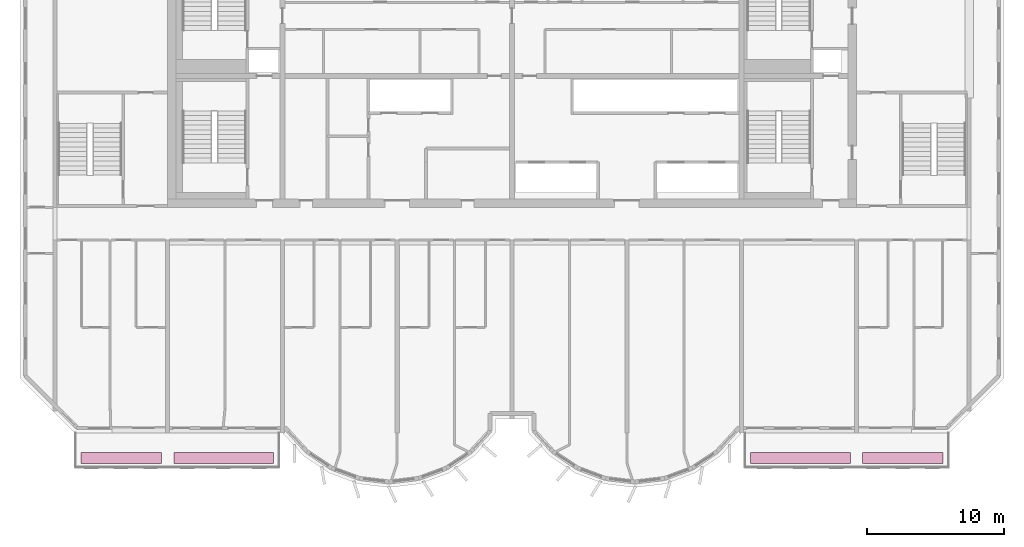
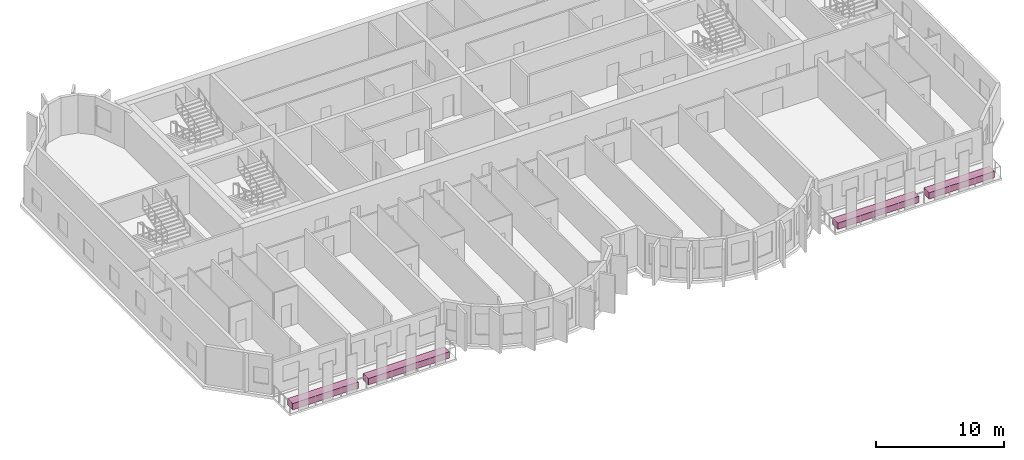
# One storey, part 12 of 12: 4 furniture elements.
"""IFC4 building model written with IfcOpenShell, lengths in metres."""

import ifcopenshell
import ifcopenshell.guid

model = None  # the IFC model being written
_history = None  # IfcOwnerHistory: only IFC2X3 demands one
_inside = {}  # id of a spatial element -> (the spatial element, [elements in it])
_under = {}  # id of a project, library or spatial element -> (it, [spatial elements below it])
_declared = {}  # id of a project -> (the project, [libraries it declares])
_typed = {}  # id of a type object -> (the type object, [elements of that type])
_made_of = {}  # id of a material, layer set ... -> (it, [elements and type objects made of it])


def new_model(schema):
    """Start an empty IFC model of exactly this schema.

    Asked for "IFC4X3", IfcOpenShell would pick the latest addendum, in which some entities
    have other attributes; the version numbers below select the first issue.
    IFC2X3 requires an IfcOwnerHistory on every rooted entity: one is made here for all.
    """
    global model, _history
    if schema == "IFC4X3":
        model = ifcopenshell.file(schema_version=(4, 3, 0, 0))
    else:
        model = ifcopenshell.file(schema=schema)
    _inside.clear()
    _under.clear()
    _declared.clear()
    _typed.clear()
    _made_of.clear()
    _history = None
    if model.schema == "IFC2X3":
        org = make("IfcOrganization", Name="unknown")
        user = make(
            "IfcPersonAndOrganization",
            ThePerson=make("IfcPerson", FamilyName="unknown"),
            TheOrganization=org,
        )
        app = make(
            "IfcApplication",
            ApplicationDeveloper=org,
            Version="unknown",
            ApplicationFullName="unknown",
            ApplicationIdentifier="unknown",
        )
        _history = make(
            "IfcOwnerHistory",
            OwningUser=user,
            OwningApplication=app,
            ChangeAction="ADDED",
            CreationDate=0,
        )
    return model


def make(cls, **values):
    """One entity of the class cls with the attributes given. An attribute that is None is left unset."""
    return model.create_entity(
        cls, **{name: value for name, value in values.items() if value is not None}
    )


def rooted(cls, **values):
    """An entity with a GlobalId (a new one), such as an element, a storey or a relation."""
    return make(cls, GlobalId=ifcopenshell.guid.new(), OwnerHistory=_history, **values)


def si_unit(unit_type, name, prefix=None):
    """IfcSIUnit, for example si_unit("LENGTHUNIT", "METRE", prefix="MILLI")."""
    return make("IfcSIUnit", UnitType=unit_type, Prefix=prefix, Name=name)


def assignment(units):
    """IfcUnitAssignment: the units of a project."""
    return None if units is None else make("IfcUnitAssignment", Units=units)


def point(xyz):
    """IfcCartesianPoint."""
    return None if xyz is None else make("IfcCartesianPoint", Coordinates=xyz)


def direction(xyz):
    """IfcDirection."""
    return None if xyz is None else make("IfcDirection", DirectionRatios=xyz)


def frame(location, z_axis=None, x_axis=None):
    """IfcAxis2Placement3D, a coordinate frame: its origin and axes. An axis left out is left unset."""
    return make(
        "IfcAxis2Placement3D",
        Location=point(location),
        Axis=direction(z_axis),
        RefDirection=direction(x_axis),
    )


def frame_2d(location, x_axis=None):
    """IfcAxis2Placement2D, a coordinate frame in the plane: its origin and x axis."""
    return make(
        "IfcAxis2Placement2D", Location=point(location), RefDirection=direction(x_axis)
    )


def origin():
    """The frame at (0, 0, 0) with its axes left unset."""
    return frame((0.0, 0.0, 0.0))


def origin_2d():
    """The frame at (0, 0) in the plane with its x axis left unset."""
    return frame_2d((0.0, 0.0))


def place(relative_to, where):
    """IfcLocalPlacement: puts the frame where relative to a parent placement (None: the world)."""
    return make(
        "IfcLocalPlacement", PlacementRelTo=relative_to, RelativePlacement=where
    )


def context(
    kind, dimensions, precision=None, world=None, true_north=None, identifier=None
):
    """IfcGeometricRepresentationContext, for example the 3D "Model" context."""
    return make(
        "IfcGeometricRepresentationContext",
        ContextIdentifier=identifier,
        ContextType=kind,
        CoordinateSpaceDimension=dimensions,
        Precision=precision,
        WorldCoordinateSystem=world,
        TrueNorth=true_north,
    )


def subcontext(parent, identifier, kind, view, scale=None):
    """IfcGeometricRepresentationSubContext, for example "Body" below "Model"."""
    return make(
        "IfcGeometricRepresentationSubContext",
        ContextIdentifier=identifier,
        ContextType=kind,
        ParentContext=parent,
        TargetScale=scale,
        TargetView=view,
    )


def project(units=None, contexts=None):
    """IfcProject with its units and contexts."""
    return rooted(
        "IfcProject",
        Name="project",
        RepresentationContexts=contexts,
        UnitsInContext=assignment(units),
    )


def spatial(cls, under=None, at=None, **own):
    """A site, building, storey or space (cls), placed at a placement, below another one or the project."""
    s = rooted(cls, ObjectPlacement=at, **own)
    if under is not None:
        _under.setdefault(under.id(), (under, []))[1].append(s)
    return s


def profile(cls, at=None, kind="AREA", **sizes):
    """A parametric profile (cls). Its sizes go by their IFC names, for example OverallWidth=200.0."""
    return make(cls, ProfileType=kind, Position=at, **sizes)


def rectangle(**sizes):
    """IfcRectangleProfileDef."""
    return profile("IfcRectangleProfileDef", **sizes)


def extrude(swept, where, along, depth):
    """IfcExtrudedAreaSolid: the profile swept, set in the frame where, extruded along a direction by depth."""
    return make(
        "IfcExtrudedAreaSolid",
        SweptArea=swept,
        Position=where,
        ExtrudedDirection=direction(along),
        Depth=depth,
    )


def shape(context_of_items, identifier, shape_type, items):
    """IfcShapeRepresentation: the items that make up one representation, for example the "Body"."""
    return make(
        "IfcShapeRepresentation",
        ContextOfItems=context_of_items,
        RepresentationIdentifier=identifier,
        RepresentationType=shape_type,
        Items=items,
    )


def source(mapping_origin, context_of_items, identifier, shape_type, items):
    """IfcRepresentationMap: a shape defined once, which mapped items show again and again."""
    return make(
        "IfcRepresentationMap",
        MappingOrigin=mapping_origin,
        MappedRepresentation=shape(context_of_items, identifier, shape_type, items),
    )


def transform(
    local_origin,
    x_axis=None,
    y_axis=None,
    z_axis=None,
    scale=None,
    scale2=None,
    scale3=None,
    uniform=True,
):
    """IfcCartesianTransformationOperator3D, or its non-uniform kind. x_axis, y_axis, z_axis: its Axis1, 2, 3."""
    if uniform:
        return make(
            "IfcCartesianTransformationOperator3D",
            Axis1=direction(x_axis),
            Axis2=direction(y_axis),
            LocalOrigin=point(local_origin),
            Scale=scale,
            Axis3=direction(z_axis),
        )
    return make(
        "IfcCartesianTransformationOperator3DnonUniform",
        Axis1=direction(x_axis),
        Axis2=direction(y_axis),
        LocalOrigin=point(local_origin),
        Scale=scale,
        Axis3=direction(z_axis),
        Scale2=scale2,
        Scale3=scale3,
    )


def mapped(mapping_source, mapping_target):
    """IfcMappedItem: shows the shape of a source again, moved by a transform."""
    return make(
        "IfcMappedItem", MappingSource=mapping_source, MappingTarget=mapping_target
    )


def material(Name=None, Category=None):
    """IfcMaterial."""
    return make("IfcMaterial", Name=Name, Category=Category)


def made_of(thing, what):
    """Note that an element or type object is made of a material, layer set ...; save() writes the relation."""
    if what is not None:
        _made_of.setdefault(what.id(), (what, []))[1].append(thing)
    return thing


def type_object(cls, material=None, **own):
    """A type object (cls), such as IfcWallType, which elements share."""
    return made_of(rooted(cls, **own), material)


def element(
    cls,
    number,
    at=None,
    inside=None,
    cuts=None,
    type_object=None,
    material=None,
    context=None,
    identifier="Body",
    shape_type=None,
    held_by="IfcProductDefinitionShape",
    body=None,
    shapes=None,
    **own,
):
    """One element of the class cls, such as IfcWall. Its Tag is "e" and its number.

    at: its placement. inside: the storey or other place that contains it. cuts: it is an
    opening in that element (IfcRelVoidsElement). A single representation is given by context,
    identifier, shape_type and body (its items); several are given by shapes. held_by: the class
    of the entity that holds the representations. save() writes the other relations.
    """
    e = rooted(cls, Tag="e%d" % number, ObjectPlacement=at, **own)
    if body is not None:
        shapes = [shape(context, identifier, shape_type, body)]
    if shapes is not None:
        e.Representation = make(held_by, Representations=shapes)
    if inside is not None:
        _inside.setdefault(inside.id(), (inside, []))[1].append(e)
    if cuts is not None:
        rooted(
            "IfcRelVoidsElement", RelatingBuildingElement=cuts, RelatedOpeningElement=e
        )
    if type_object is not None:
        _typed.setdefault(type_object.id(), (type_object, []))[1].append(e)
    return made_of(e, material)


def aggregate(whole, parts):
    """IfcRelAggregates: a whole, such as a stair, and the parts it consists of."""
    return rooted("IfcRelAggregates", RelatingObject=whole, RelatedObjects=parts)


def save(model, path):
    """Write the relations noted so far, then the file.

    IfcRelAggregates (storeys below a building ...), IfcRelContainedInSpatialStructure (elements
    in a storey), IfcRelDefinesByType, IfcRelAssociatesMaterial and IfcRelDeclares: one each for
    every whole, place, type object, material and project.
    """
    for whole, parts in _under.values():
        aggregate(whole, parts)
    for where, things in _inside.values():
        rooted(
            "IfcRelContainedInSpatialStructure",
            RelatedElements=things,
            RelatingStructure=where,
        )
    for kind, things in _typed.values():
        rooted("IfcRelDefinesByType", RelatedObjects=things, RelatingType=kind)
    for what, things in _made_of.values():
        rooted("IfcRelAssociatesMaterial", RelatedObjects=things, RelatingMaterial=what)
    for by, libraries in _declared.values():
        rooted("IfcRelDeclares", RelatingContext=by, RelatedDefinitions=libraries)
    model.write(path)


model = new_model("IFC4")

# Units and contexts
model_context = context("Model", 3, precision=1e-05, world=origin(), true_north=direction((0.0, 1.0)))
body_context = subcontext(model_context, "Body", "Model", "MODEL_VIEW")
ifc_project = project(units=[si_unit("LENGTHUNIT", "METRE"), si_unit("AREAUNIT", "SQUARE_METRE"), si_unit("VOLUMEUNIT", "CUBIC_METRE"), si_unit("PLANEANGLEUNIT", "RADIAN"), si_unit("MASSUNIT", "GRAM", prefix="KILO")], contexts=[model_context])

# Site, building, storey
site_placement = place(None, origin())
site = spatial("IfcSite", under=ifc_project, at=site_placement, CompositionType="ELEMENT")
building_placement = place(site_placement, origin())
building = spatial("IfcBuilding", under=site, at=building_placement, Name="Vanashikhar Sky Hotel", CompositionType="ELEMENT")
storey_placement = place(building_placement, frame((0.0, 0.0, 237.39990234375)))
storey = spatial("IfcBuildingStorey", under=building, at=storey_placement, Name="L57", CompositionType="ELEMENT", Elevation=237.39990234375)

# Furniture
ifc_material = material(Name="Planting soil and shrubs")
furniture_type = type_object("IfcFurnitureType", Name="Planter trough", AssemblyPlace="NOTDEFINED", PredefinedType="USERDEFINED", material=ifc_material)
shared_shape_1 = source(origin(), body_context, "Body", "SweptSolid", [
    extrude(rectangle(XDim=7.300048828125, YDim=0.800048828125, at=origin_2d()), origin(), (0.0, 0.0, 1.0), 0.60009765625),
])
for number, where, z_axis, x_axis, name in (
    (1, (29.300048828125, 3.64990234375, -0.050048828125), (0.0, 0.0, 1.0), (1.0, 0.0, 0.0), "PLANTER with climbers"),
    (2, (71.5, 3.64990234375, -0.050048828125), (0.0, 0.0, 1.0), (1.0, 0.0, 0.0), "PLANTER with climbers"),
):
    element("IfcFurniture", number, at=place(storey_placement, frame(where, z_axis=z_axis, x_axis=x_axis)), inside=storey, type_object=furniture_type, Name=name, ObjectType="PLANTER", PredefinedType="USERDEFINED", context=body_context, shape_type="MappedRepresentation", body=[
        mapped(shared_shape_1, transform((0.0, 0.0, 0.0), scale=1.0)),
    ])
shared_shape_2 = source(origin(), body_context, "Body", "SweptSolid", [
    extrude(rectangle(XDim=5.89990234375, YDim=0.800048828125, at=origin_2d()), origin(), (0.0, 0.0, 1.0), 0.60009765625),
])
for number, where, z_axis, x_axis, name in (
    (3, (21.800048828125, 3.64990234375, -0.050048828125), (0.0, 0.0, 1.0), (1.0, 0.0, 0.0), "PLANTER with climbers"),
    (4, (79.0, 3.64990234375, -0.050048828125), (0.0, 0.0, 1.0), (1.0, 0.0, 0.0), "PLANTER with climbers"),
):
    element("IfcFurniture", number, at=place(storey_placement, frame(where, z_axis=z_axis, x_axis=x_axis)), inside=storey, type_object=furniture_type, Name=name, ObjectType="PLANTER", PredefinedType="USERDEFINED", context=body_context, shape_type="MappedRepresentation", body=[
        mapped(shared_shape_2, transform((0.0, 0.0, 0.0), scale=1.0)),
    ])

save(model, "model.ifc")
